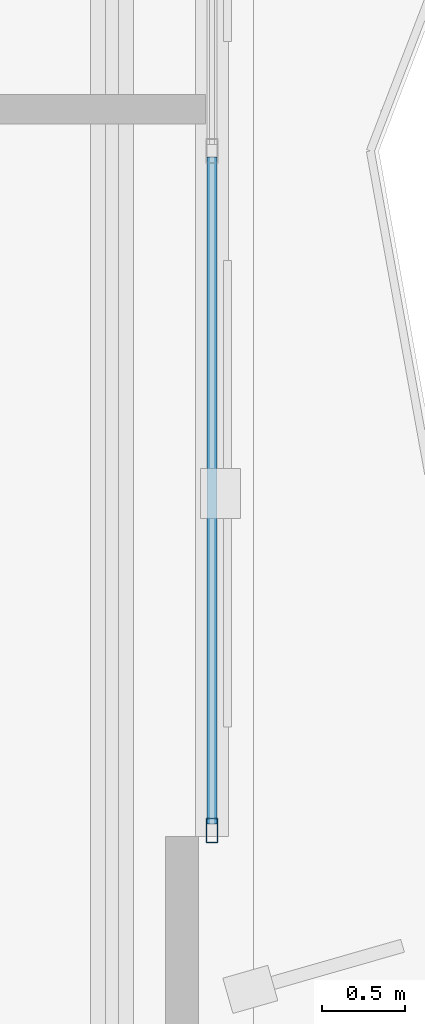
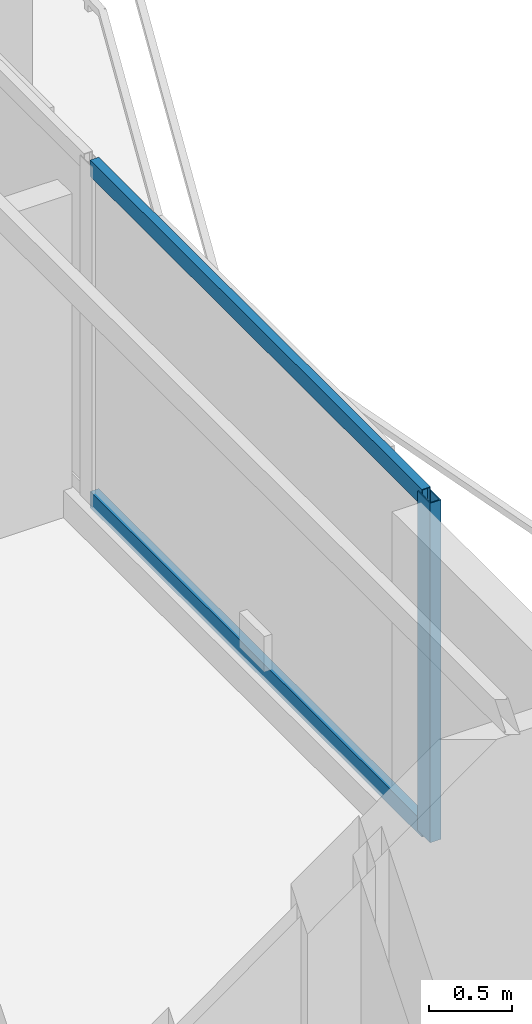
# One storey, part 7 of 18: 3 members, 1 element without a shape of its own.
"""IFC4 building model written with IfcOpenShell, lengths in metres."""

from ifc_helpers import new_model, si_unit, direction, frame, origin, origin_2d, place, context, subcontext, project, spatial, hollow_rectangle, extrude, material, layer, layer_set, material_profile, profile_set, type_object, element, aggregate, save


model = new_model("IFC4")

# Units and contexts
model_context = context("Model", 3, precision=1e-05, world=origin(), true_north=direction((0.0, 1.0)))
body_context = subcontext(model_context, "Body", "Model", "MODEL_VIEW")
ifc_project = project(units=[si_unit("LENGTHUNIT", "METRE"), si_unit("AREAUNIT", "SQUARE_METRE"), si_unit("VOLUMEUNIT", "CUBIC_METRE"), si_unit("PLANEANGLEUNIT", "RADIAN"), si_unit("MASSUNIT", "GRAM", prefix="KILO")], contexts=[model_context])

# Site, building, storey
site_placement = place(None, origin())
site = spatial("IfcSite", under=ifc_project, at=site_placement, CompositionType="ELEMENT")
building_placement = place(site_placement, origin())
building = spatial("IfcBuilding", under=site, at=building_placement, Name="Mersakhor Tower and Convention Hall", CompositionType="ELEMENT")
storey_placement = place(building_placement, frame((0.0, 0.0, 243.0)))
storey = spatial("IfcBuildingStorey", under=building, at=storey_placement, Name="L68", CompositionType="ELEMENT", Elevation=243.0)

# Curtain wall, members
ifc_material_1 = material(Name="Dark solar low-E aluminium curtain wall", Category="aluminium")
ifc_layer = layer(ifc_material_1, 0.179931640625)
ifc_layer_set = layer_set([ifc_layer], Name="Dark solar low-E aluminium curtain wall")
curtain_wall_type = type_object("IfcCurtainWallType", Name="CW-SYS-03", PredefinedType="USERDEFINED", material=ifc_layer_set)
curtain_wall_placement = place(storey_placement, origin())
curtain_wall = element("IfcCurtainWall", 1, at=curtain_wall_placement, inside=storey, type_object=curtain_wall_type, Name="L68 Dark-Glass Curtain Wall F2-B2", ObjectType="CURTAIN WALL", PredefinedType="USERDEFINED")
ifc_material_2 = material(Name="Anodised aluminium EN AW-6063 T6", Category="aluminium")
ifc_material_profile_1 = material_profile(ifc_material_2, hollow_rectangle(XDim=0.074951171875, YDim=0.14990234375, WallThickness=0.00634765625, at=origin_2d()), Name="RHS 150x75x6.3")
ifc_profile_set_1 = profile_set([ifc_material_profile_1], Name="Anodised aluminium EN AW-6063 T6")
member_type_1 = type_object("IfcMemberType", Name="CWM-150x75", PredefinedType="MULLION", material=ifc_profile_set_1)
member_1_placement = place(storey_placement, frame((39.742919921875, 22.673583984375, 0.199951171875), z_axis=(0.0, 0.0, 1.0), x_axis=(1.0, 0.0, 0.0)))
member_1 = element("IfcMember", 2, at=member_1_placement, type_object=member_type_1, Name="CW-03 mullion 3", PredefinedType="MULLION", context=body_context, shape_type="SweptSolid", body=[
    extrude(hollow_rectangle(XDim=0.074951171875, YDim=0.14990234375, WallThickness=0.00634765625, at=origin_2d()), origin(), (0.0, 0.0, 1.0), 2.5),
])
ifc_material_3 = material(Name="Anodised aluminium EN AW-6063 T6", Category="aluminium")
ifc_material_profile_2 = material_profile(ifc_material_3, hollow_rectangle(XDim=0.06005859375, YDim=0.1201171875, WallThickness=0.0048828125, at=origin_2d()), Name="RHS 120x60x5")
ifc_profile_set_2 = profile_set([ifc_material_profile_2], Name="Anodised aluminium EN AW-6063 T6")
member_type_2 = type_object("IfcMemberType", Name="CWT-120x60", PredefinedType="USERDEFINED", material=ifc_profile_set_2)
member_2_placement = place(storey_placement, frame((39.742919921875, 26.71240234375, 0.22998046875), z_axis=(0.0, -1.0, 0.0), x_axis=(1.0, 0.0, 0.0)))
member_2 = element("IfcMember", 3, at=member_2_placement, type_object=member_type_2, Name="CW-03 transom 2.1", ObjectType="TRANSOM", PredefinedType="USERDEFINED", context=body_context, shape_type="SweptSolid", body=[
    extrude(hollow_rectangle(XDim=0.06005859375, YDim=0.1201171875, WallThickness=0.0048828125, at=origin_2d()), origin(), (0.0, 0.0, 1.0), 4.001220703125),
])
member_3_placement = place(storey_placement, frame((39.742919921875, 26.71240234375, 2.669921875), z_axis=(0.0, -1.0, 0.0), x_axis=(1.0, 0.0, 0.0)))
member_3 = element("IfcMember", 4, at=member_3_placement, type_object=member_type_2, Name="CW-03 transom 2.2", ObjectType="TRANSOM", PredefinedType="USERDEFINED", context=body_context, shape_type="SweptSolid", body=[
    extrude(hollow_rectangle(XDim=0.06005859375, YDim=0.1201171875, WallThickness=0.0048828125, at=origin_2d()), origin(), (0.0, 0.0, 1.0), 4.001220703125),
])
aggregate(curtain_wall, [member_1, member_2, member_3])

save(model, "model.ifc")
